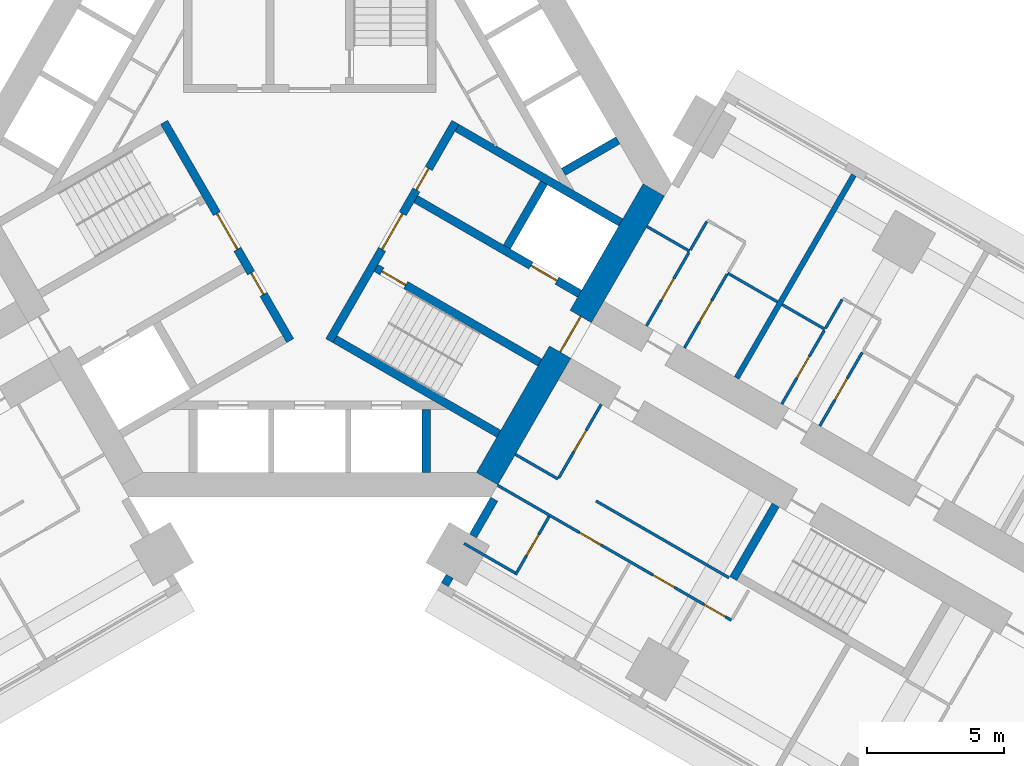
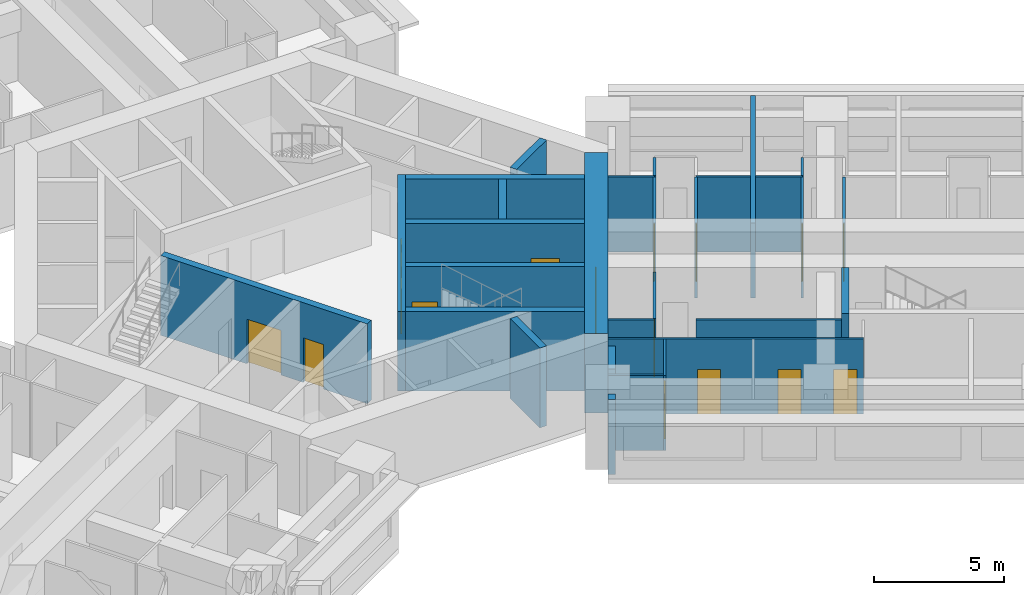
# One storey, part 7 of 16: 29 walls, 16 doors, 16 openings.
"""IFC4 building model written with IfcOpenShell, lengths in metres."""

import ifcopenshell
import ifcopenshell.guid

model = None  # the IFC model being written
_history = None  # IfcOwnerHistory: only IFC2X3 demands one
_inside = {}  # id of a spatial element -> (the spatial element, [elements in it])
_under = {}  # id of a project, library or spatial element -> (it, [spatial elements below it])
_declared = {}  # id of a project -> (the project, [libraries it declares])
_typed = {}  # id of a type object -> (the type object, [elements of that type])
_made_of = {}  # id of a material, layer set ... -> (it, [elements and type objects made of it])


def new_model(schema):
    """Start an empty IFC model of exactly this schema.

    Asked for "IFC4X3", IfcOpenShell would pick the latest addendum, in which some entities
    have other attributes; the version numbers below select the first issue.
    IFC2X3 requires an IfcOwnerHistory on every rooted entity: one is made here for all.
    """
    global model, _history
    if schema == "IFC4X3":
        model = ifcopenshell.file(schema_version=(4, 3, 0, 0))
    else:
        model = ifcopenshell.file(schema=schema)
    _inside.clear()
    _under.clear()
    _declared.clear()
    _typed.clear()
    _made_of.clear()
    _history = None
    if model.schema == "IFC2X3":
        org = make("IfcOrganization", Name="unknown")
        user = make(
            "IfcPersonAndOrganization",
            ThePerson=make("IfcPerson", FamilyName="unknown"),
            TheOrganization=org,
        )
        app = make(
            "IfcApplication",
            ApplicationDeveloper=org,
            Version="unknown",
            ApplicationFullName="unknown",
            ApplicationIdentifier="unknown",
        )
        _history = make(
            "IfcOwnerHistory",
            OwningUser=user,
            OwningApplication=app,
            ChangeAction="ADDED",
            CreationDate=0,
        )
    return model


def make(cls, **values):
    """One entity of the class cls with the attributes given. An attribute that is None is left unset."""
    return model.create_entity(
        cls, **{name: value for name, value in values.items() if value is not None}
    )


def rooted(cls, **values):
    """An entity with a GlobalId (a new one), such as an element, a storey or a relation."""
    return make(cls, GlobalId=ifcopenshell.guid.new(), OwnerHistory=_history, **values)


def si_unit(unit_type, name, prefix=None):
    """IfcSIUnit, for example si_unit("LENGTHUNIT", "METRE", prefix="MILLI")."""
    return make("IfcSIUnit", UnitType=unit_type, Prefix=prefix, Name=name)


def assignment(units):
    """IfcUnitAssignment: the units of a project."""
    return None if units is None else make("IfcUnitAssignment", Units=units)


def point(xyz):
    """IfcCartesianPoint."""
    return None if xyz is None else make("IfcCartesianPoint", Coordinates=xyz)


def direction(xyz):
    """IfcDirection."""
    return None if xyz is None else make("IfcDirection", DirectionRatios=xyz)


def frame(location, z_axis=None, x_axis=None):
    """IfcAxis2Placement3D, a coordinate frame: its origin and axes. An axis left out is left unset."""
    return make(
        "IfcAxis2Placement3D",
        Location=point(location),
        Axis=direction(z_axis),
        RefDirection=direction(x_axis),
    )


def frame_2d(location, x_axis=None):
    """IfcAxis2Placement2D, a coordinate frame in the plane: its origin and x axis."""
    return make(
        "IfcAxis2Placement2D", Location=point(location), RefDirection=direction(x_axis)
    )


def origin():
    """The frame at (0, 0, 0) with its axes left unset."""
    return frame((0.0, 0.0, 0.0))


def place(relative_to, where):
    """IfcLocalPlacement: puts the frame where relative to a parent placement (None: the world)."""
    return make(
        "IfcLocalPlacement", PlacementRelTo=relative_to, RelativePlacement=where
    )


def context(
    kind, dimensions, precision=None, world=None, true_north=None, identifier=None
):
    """IfcGeometricRepresentationContext, for example the 3D "Model" context."""
    return make(
        "IfcGeometricRepresentationContext",
        ContextIdentifier=identifier,
        ContextType=kind,
        CoordinateSpaceDimension=dimensions,
        Precision=precision,
        WorldCoordinateSystem=world,
        TrueNorth=true_north,
    )


def subcontext(parent, identifier, kind, view, scale=None):
    """IfcGeometricRepresentationSubContext, for example "Body" below "Model"."""
    return make(
        "IfcGeometricRepresentationSubContext",
        ContextIdentifier=identifier,
        ContextType=kind,
        ParentContext=parent,
        TargetScale=scale,
        TargetView=view,
    )


def project(units=None, contexts=None):
    """IfcProject with its units and contexts."""
    return rooted(
        "IfcProject",
        Name="project",
        RepresentationContexts=contexts,
        UnitsInContext=assignment(units),
    )


def spatial(cls, under=None, at=None, **own):
    """A site, building, storey or space (cls), placed at a placement, below another one or the project."""
    s = rooted(cls, ObjectPlacement=at, **own)
    if under is not None:
        _under.setdefault(under.id(), (under, []))[1].append(s)
    return s


def profile(cls, at=None, kind="AREA", **sizes):
    """A parametric profile (cls). Its sizes go by their IFC names, for example OverallWidth=200.0."""
    return make(cls, ProfileType=kind, Position=at, **sizes)


def rectangle(**sizes):
    """IfcRectangleProfileDef."""
    return profile("IfcRectangleProfileDef", **sizes)


def extrude(swept, where, along, depth):
    """IfcExtrudedAreaSolid: the profile swept, set in the frame where, extruded along a direction by depth."""
    return make(
        "IfcExtrudedAreaSolid",
        SweptArea=swept,
        Position=where,
        ExtrudedDirection=direction(along),
        Depth=depth,
    )


def shape(context_of_items, identifier, shape_type, items):
    """IfcShapeRepresentation: the items that make up one representation, for example the "Body"."""
    return make(
        "IfcShapeRepresentation",
        ContextOfItems=context_of_items,
        RepresentationIdentifier=identifier,
        RepresentationType=shape_type,
        Items=items,
    )


def material(Name=None, Category=None):
    """IfcMaterial."""
    return make("IfcMaterial", Name=Name, Category=Category)


def layer(
    of_material, thickness, ventilated=None, Name=None, Category=None, Priority=None
):
    """IfcMaterialLayer: one layer of a wall or slab, of a material (None: an air gap)."""
    return make(
        "IfcMaterialLayer",
        Material=of_material,
        LayerThickness=thickness,
        IsVentilated=ventilated,
        Name=Name,
        Category=Category,
        Priority=Priority,
    )


def layer_set(layers, Name=None):
    """IfcMaterialLayerSet."""
    return make("IfcMaterialLayerSet", MaterialLayers=layers, LayerSetName=Name)


def made_of(thing, what):
    """Note that an element or type object is made of a material, layer set ...; save() writes the relation."""
    if what is not None:
        _made_of.setdefault(what.id(), (what, []))[1].append(thing)
    return thing


def type_object(cls, material=None, **own):
    """A type object (cls), such as IfcWallType, which elements share."""
    return made_of(rooted(cls, **own), material)


def element(
    cls,
    number,
    at=None,
    inside=None,
    cuts=None,
    type_object=None,
    material=None,
    context=None,
    identifier="Body",
    shape_type=None,
    held_by="IfcProductDefinitionShape",
    body=None,
    shapes=None,
    **own,
):
    """One element of the class cls, such as IfcWall. Its Tag is "e" and its number.

    at: its placement. inside: the storey or other place that contains it. cuts: it is an
    opening in that element (IfcRelVoidsElement). A single representation is given by context,
    identifier, shape_type and body (its items); several are given by shapes. held_by: the class
    of the entity that holds the representations. save() writes the other relations.
    """
    e = rooted(cls, Tag="e%d" % number, ObjectPlacement=at, **own)
    if body is not None:
        shapes = [shape(context, identifier, shape_type, body)]
    if shapes is not None:
        e.Representation = make(held_by, Representations=shapes)
    if inside is not None:
        _inside.setdefault(inside.id(), (inside, []))[1].append(e)
    if cuts is not None:
        rooted(
            "IfcRelVoidsElement", RelatingBuildingElement=cuts, RelatedOpeningElement=e
        )
    if type_object is not None:
        _typed.setdefault(type_object.id(), (type_object, []))[1].append(e)
    return made_of(e, material)


def fill(opening, filler):
    """IfcRelFillsElement: the door or window that sits in an opening."""
    return rooted(
        "IfcRelFillsElement",
        RelatingOpeningElement=opening,
        RelatedBuildingElement=filler,
    )


def aggregate(whole, parts):
    """IfcRelAggregates: a whole, such as a stair, and the parts it consists of."""
    return rooted("IfcRelAggregates", RelatingObject=whole, RelatedObjects=parts)


def save(model, path):
    """Write the relations noted so far, then the file.

    IfcRelAggregates (storeys below a building ...), IfcRelContainedInSpatialStructure (elements
    in a storey), IfcRelDefinesByType, IfcRelAssociatesMaterial and IfcRelDeclares: one each for
    every whole, place, type object, material and project.
    """
    for whole, parts in _under.values():
        aggregate(whole, parts)
    for where, things in _inside.values():
        rooted(
            "IfcRelContainedInSpatialStructure",
            RelatedElements=things,
            RelatingStructure=where,
        )
    for kind, things in _typed.values():
        rooted("IfcRelDefinesByType", RelatedObjects=things, RelatingType=kind)
    for what, things in _made_of.values():
        rooted("IfcRelAssociatesMaterial", RelatedObjects=things, RelatingMaterial=what)
    for by, libraries in _declared.values():
        rooted("IfcRelDeclares", RelatingContext=by, RelatedDefinitions=libraries)
    model.write(path)


model = new_model("IFC4")

# Units and contexts
model_context = context("Model", 3, precision=1e-05, world=origin(), true_north=direction((0.0, 1.0)))
body_context = subcontext(model_context, "Body", "Model", "MODEL_VIEW")
ifc_project = project(units=[si_unit("LENGTHUNIT", "METRE"), si_unit("AREAUNIT", "SQUARE_METRE"), si_unit("VOLUMEUNIT", "CUBIC_METRE"), si_unit("PLANEANGLEUNIT", "RADIAN"), si_unit("MASSUNIT", "GRAM", prefix="KILO")], contexts=[model_context])

# Site, building, storey
site_placement = place(None, origin())
site = spatial("IfcSite", under=ifc_project, at=site_placement, CompositionType="ELEMENT")
building_placement = place(site_placement, origin())
building = spatial("IfcBuilding", under=site, at=building_placement, Name="Impinga Residences", CompositionType="ELEMENT")
storey_placement = place(building_placement, frame((0.0, 0.0, 44.75)))
storey = spatial("IfcBuildingStorey", under=building, at=storey_placement, Name="L10", CompositionType="ELEMENT", Elevation=44.75)

# Walls
ifc_material_1 = material(Name="Terracotta rainscreen on blockwork", Category="masonry")
ifc_layer_1 = layer(ifc_material_1, 0.300048828125)
ifc_layer_set_1 = layer_set([ifc_layer_1], Name="EW1 external wall, terracotta rainscreen on blockwork 300")
wall_type_1 = type_object("IfcWallType", Name="EW1 external wall, terracotta rainscreen on blockwork 300", PredefinedType="SOLIDWALL", material=ifc_layer_set_1)
wall_1_placement = place(storey_placement, frame((4.929931640625, -14.624267578125, 0.0), z_axis=(0.0, 0.0, 1.0), x_axis=(0.49996389635, 0.866046247233, 0.0)))
element("IfcWall", 1, at=wall_1_placement, inside=storey, type_object=wall_type_1, Name="External wall EW1 L10", PredefinedType="SOLIDWALL", context=body_context, shape_type="SweptSolid", body=[
    extrude(rectangle(XDim=0.35009765625, YDim=0.300048828125, at=frame_2d((0.175048828125, 0.0))), origin(), (0.0, 0.0, 1.0), 3.530029296875),
])
wall_2_placement = place(storey_placement, frame((5.954833984375, -12.848876953125, 0.0), z_axis=(0.0, 0.0, 1.0), x_axis=(0.500086022567, 0.865975732936, 0.0)))
element("IfcWall", 2, at=wall_2_placement, inside=storey, type_object=wall_type_1, Name="External wall EW1 L10", PredefinedType="SOLIDWALL", context=body_context, shape_type="SweptSolid", body=[
    extrude(rectangle(XDim=1.550048828125, YDim=0.300048828125, at=frame_2d((0.77490234375, 0.0))), origin(), (0.0, 0.0, 1.0), 3.530029296875),
])
ifc_material_2 = material(Name="Gypsum board on steel studs", Category="steel")
ifc_layer_2 = layer(ifc_material_2, 0.10009765625)
ifc_layer_set_2 = layer_set([ifc_layer_2], Name="Gypsum board on steel studs")
wall_type_2 = type_object("IfcWallType", Name="IP1 partition 100", PredefinedType="PARTITIONING", material=ifc_layer_set_2)
wall_3_placement = place(storey_placement, frame((12.300048828125, -1.558837890625, 0.0), z_axis=(0.0, 0.0, 1.0), x_axis=(0.866047807691, -0.499961193289, 0.0)))
element("IfcWall", 3, at=wall_3_placement, inside=storey, type_object=wall_type_2, Name="Partition L10-EA1:DIV0", PredefinedType="PARTITIONING", context=body_context, shape_type="SweptSolid", body=[
    extrude(rectangle(XDim=1.800048828125, YDim=0.10009765625, at=frame_2d((0.89990234375, 0.0))), origin(), (0.0, 0.0, 1.0), 3.530029296875),
])
wall_4_placement = place(storey_placement, frame((15.244384765625, -3.2587890625, 0.0), z_axis=(0.0, 0.0, 1.0), x_axis=(0.866038466041, -0.499977374825, 0.0)))
element("IfcWall", 4, at=wall_4_placement, inside=storey, type_object=wall_type_2, Name="Partition L10-EA1:DIV1", PredefinedType="PARTITIONING", context=body_context, shape_type="SweptSolid", body=[
    extrude(rectangle(XDim=2.10009765625, YDim=0.10009765625, at=frame_2d((1.050048828125, 0.0))), origin(), (0.0, 0.0, 1.0), 3.530029296875),
])
wall_5_placement = place(storey_placement, frame((13.8837890625, -2.41552734375, 0.0), z_axis=(0.0, 0.0, 1.0), x_axis=(0.500033551112, 0.866006032174, 0.0)))
element("IfcWall", 5, at=wall_5_placement, inside=storey, type_object=wall_type_2, Name="Partition L10-EA1:SE0", PredefinedType="PARTITIONING", context=body_context, shape_type="SweptSolid", body=[
    extrude(rectangle(XDim=1.2001953125, YDim=0.10009765625, at=frame_2d((0.60009765625, 0.0))), origin(), (0.0, 0.0, 1.0), 3.530029296875),
])

# Wall, opening, door
wall_6_placement = place(storey_placement, frame((12.283935546875, -5.186767578125, 0.0), z_axis=(0.0, 0.0, 1.0), x_axis=(0.499967891604, 0.866043940782, 0.0)))
wall_6 = element("IfcWall", 6, at=wall_6_placement, inside=storey, type_object=wall_type_2, Name="Partition L10-EA1:IB1", PredefinedType="PARTITIONING", context=body_context, shape_type="SweptSolid", body=[
    extrude(rectangle(XDim=3.099853515625, YDim=0.10009765625, at=frame_2d((1.5498046875, 0.0))), origin(), (0.0, 0.0, 1.0), 3.530029296875),
])
opening_1_placement = place(wall_6_placement, frame((1.10009765625, 0.0, 0.0)))
opening_1 = element("IfcOpeningElement", 7, at=opening_1_placement, cuts=wall_6, Name="Opening D2", PredefinedType="OPENING", context=body_context, shape_type="SweptSolid", body=[
    extrude(rectangle(XDim=0.89990234375, YDim=2.10009765625, at=frame_2d((0.449951171875, 1.050048828125))), frame((0.0, 0.06005859375, 0.0), z_axis=(0.0, -1.0, 0.0), x_axis=(1.0, 0.0, 0.0)), (0.0, 0.0, 1.0), 0.1201171875),
])
ifc_material_3 = material(Name="Timber door set", Category="wood")
door_type_1 = type_object("IfcDoorType", Name="D2 internal door 900x2100", OperationType="SINGLE_SWING_LEFT", PredefinedType="DOOR", material=ifc_material_3)
door_1_placement = place(opening_1_placement, origin())
door_1 = element("IfcDoor", 8, at=door_1_placement, inside=storey, type_object=door_type_1, Name="Apartment L10-EA1 bathroom door", OperationType="SINGLE_SWING_LEFT", OverallHeight=2.10009765625, OverallWidth=0.89990234375, PredefinedType="DOOR", context=body_context, shape_type="SweptSolid", body=[
    extrude(rectangle(XDim=0.89990234375, YDim=2.10009765625, at=frame_2d((0.449951171875, 1.050048828125))), frame((0.0, 0.02490234375, 0.0), z_axis=(0.0, -1.0, 0.0), x_axis=(1.0, 0.0, 0.0)), (0.0, 0.0, 1.0), 0.050048828125),
])
fill(opening_1, door_1)

wall_7_placement = place(storey_placement, frame((13.66943359375, -5.98681640625, 0.0), z_axis=(0.0, 0.0, 1.0), x_axis=(0.500026960575, 0.86600983753, 0.0)))
wall_7 = element("IfcWall", 9, at=wall_7_placement, inside=storey, type_object=wall_type_2, Name="Partition L10-EA1:IB2", PredefinedType="PARTITIONING", context=body_context, shape_type="SweptSolid", body=[
    extrude(rectangle(XDim=3.099853515625, YDim=0.10009765625, at=frame_2d((1.5498046875, 0.0))), origin(), (0.0, 0.0, 1.0), 3.530029296875),
])
opening_2_placement = place(wall_7_placement, frame((1.10009765625, 0.0, 0.0)))
opening_2 = element("IfcOpeningElement", 10, at=opening_2_placement, cuts=wall_7, Name="Opening D2", PredefinedType="OPENING", context=body_context, shape_type="SweptSolid", body=[
    extrude(rectangle(XDim=0.89990234375, YDim=2.10009765625, at=frame_2d((0.449951171875, 1.050048828125))), frame((0.0, 0.06005859375, 0.0), z_axis=(0.0, -1.0, 0.0), x_axis=(1.0, 0.0, 0.0)), (0.0, 0.0, 1.0), 0.1201171875),
])
door_2_placement = place(opening_2_placement, origin())
door_2 = element("IfcDoor", 11, at=door_2_placement, inside=storey, type_object=door_type_1, Name="Apartment L10-EA1 WC door", OperationType="SINGLE_SWING_LEFT", OverallHeight=2.10009765625, OverallWidth=0.89990234375, PredefinedType="DOOR", context=body_context, shape_type="SweptSolid", body=[
    extrude(rectangle(XDim=0.89990234375, YDim=2.10009765625, at=frame_2d((0.449951171875, 1.050048828125))), frame((0.0, 0.02490234375, 0.0), z_axis=(0.0, -1.0, 0.0), x_axis=(1.0, 0.0, 0.0)), (0.0, 0.0, 1.0), 0.050048828125),
])
fill(opening_2, door_2)

# Walls
wall_8_placement = place(storey_placement, frame((17.236328125, -4.408935546875, 0.0), z_axis=(0.0, 0.0, 1.0), x_axis=(0.866047807691, -0.499961193289, 0.0)))
element("IfcWall", 12, at=wall_8_placement, inside=storey, type_object=wall_type_2, Name="Partition L10-EA2:DIV0", PredefinedType="PARTITIONING", context=body_context, shape_type="SweptSolid", body=[
    extrude(rectangle(XDim=1.800048828125, YDim=0.10009765625, at=frame_2d((0.89990234375, 0.0))), origin(), (0.0, 0.0, 1.0), 3.530029296875),
])
wall_9_placement = place(storey_placement, frame((18.8203125, -5.265625, 0.0), z_axis=(0.0, 0.0, 1.0), x_axis=(0.499880961361, 0.866094119867, 0.0)))
element("IfcWall", 13, at=wall_9_placement, inside=storey, type_object=wall_type_2, Name="Partition L10-EA2:SE0", PredefinedType="PARTITIONING", context=body_context, shape_type="SweptSolid", body=[
    extrude(rectangle(XDim=1.199951171875, YDim=0.10009765625, at=frame_2d((0.60009765625, 0.0))), origin(), (0.0, 0.0, 1.0), 3.530029296875),
])

# Wall, opening, door
wall_10_placement = place(storey_placement, frame((17.22021484375, -8.036865234375, 0.0), z_axis=(0.0, 0.0, 1.0), x_axis=(0.49999285859, 0.86602952684, 0.0)))
wall_10 = element("IfcWall", 14, at=wall_10_placement, inside=storey, type_object=wall_type_2, Name="Partition L10-EA2:IB1", PredefinedType="PARTITIONING", context=body_context, shape_type="SweptSolid", body=[
    extrude(rectangle(XDim=3.10009765625, YDim=0.10009765625, at=frame_2d((1.550048828125, 0.0))), origin(), (0.0, 0.0, 1.0), 3.530029296875),
])
opening_3_placement = place(wall_10_placement, frame((1.10009765625, 0.0, 0.0)))
opening_3 = element("IfcOpeningElement", 15, at=opening_3_placement, cuts=wall_10, Name="Opening D2", PredefinedType="OPENING", context=body_context, shape_type="SweptSolid", body=[
    extrude(rectangle(XDim=0.89990234375, YDim=2.10009765625, at=frame_2d((0.449951171875, 1.050048828125))), frame((0.0, 0.06005859375, 0.0), z_axis=(0.0, -1.0, 0.0), x_axis=(1.0, 0.0, 0.0)), (0.0, 0.0, 1.0), 0.1201171875),
])
door_3_placement = place(opening_3_placement, origin())
door_3 = element("IfcDoor", 16, at=door_3_placement, inside=storey, type_object=door_type_1, Name="Apartment L10-EA2 bathroom door", OperationType="SINGLE_SWING_LEFT", OverallHeight=2.10009765625, OverallWidth=0.89990234375, PredefinedType="DOOR", context=body_context, shape_type="SweptSolid", body=[
    extrude(rectangle(XDim=0.89990234375, YDim=2.10009765625, at=frame_2d((0.449951171875, 1.050048828125))), frame((0.0, 0.02490234375, 0.0), z_axis=(0.0, -1.0, 0.0), x_axis=(1.0, 0.0, 0.0)), (0.0, 0.0, 1.0), 0.050048828125),
])
fill(opening_3, door_3)

wall_11_placement = place(storey_placement, frame((18.605712890625, -8.8369140625, 0.0), z_axis=(0.0, 0.0, 1.0), x_axis=(0.49999285859, 0.86602952684, 0.0)))
wall_11 = element("IfcWall", 17, at=wall_11_placement, inside=storey, type_object=wall_type_2, Name="Partition L10-EA2:IB2", PredefinedType="PARTITIONING", context=body_context, shape_type="SweptSolid", body=[
    extrude(rectangle(XDim=3.10009765625, YDim=0.10009765625, at=frame_2d((1.550048828125, 0.0))), origin(), (0.0, 0.0, 1.0), 3.530029296875),
])
opening_4_placement = place(wall_11_placement, frame((1.10009765625, 0.0, 0.0)))
opening_4 = element("IfcOpeningElement", 18, at=opening_4_placement, cuts=wall_11, Name="Opening D2", PredefinedType="OPENING", context=body_context, shape_type="SweptSolid", body=[
    extrude(rectangle(XDim=0.89990234375, YDim=2.10009765625, at=frame_2d((0.449951171875, 1.050048828125))), frame((0.0, 0.06005859375, 0.0), z_axis=(0.0, -1.0, 0.0), x_axis=(1.0, 0.0, 0.0)), (0.0, 0.0, 1.0), 0.1201171875),
])
door_4_placement = place(opening_4_placement, origin())
door_4 = element("IfcDoor", 19, at=door_4_placement, inside=storey, type_object=door_type_1, Name="Apartment L10-EA2 WC door", OperationType="SINGLE_SWING_LEFT", OverallHeight=2.10009765625, OverallWidth=0.89990234375, PredefinedType="DOOR", context=body_context, shape_type="SweptSolid", body=[
    extrude(rectangle(XDim=0.89990234375, YDim=2.10009765625, at=frame_2d((0.449951171875, 1.050048828125))), frame((0.0, 0.02490234375, 0.0), z_axis=(0.0, -1.0, 0.0), x_axis=(1.0, 0.0, 0.0)), (0.0, 0.0, 1.0), 0.050048828125),
])
fill(opening_4, door_4)

# Walls
wall_12_placement = place(storey_placement, frame((7.5, -9.872802734375, 0.0), z_axis=(0.0, 0.0, 1.0), x_axis=(0.866047807691, -0.499961193289, 0.0)))
element("IfcWall", 20, at=wall_12_placement, inside=storey, type_object=wall_type_2, Name="Partition L10-EF1:DIV0", PredefinedType="PARTITIONING", context=body_context, shape_type="SweptSolid", body=[
    extrude(rectangle(XDim=1.800048828125, YDim=0.10009765625, at=frame_2d((0.89990234375, 0.0))), origin(), (0.0, 0.0, 1.0), 3.530029296875),
])
wall_13_placement = place(storey_placement, frame((10.444580078125, -11.57275390625, 0.0), z_axis=(0.0, 0.0, 1.0), x_axis=(0.866015695474, -0.500016814911, 0.0)))
element("IfcWall", 21, at=wall_13_placement, inside=storey, type_object=wall_type_2, Name="Partition L10-EF1:DIV1", PredefinedType="PARTITIONING", context=body_context, shape_type="SweptSolid", body=[
    extrude(rectangle(XDim=5.599853515625, YDim=0.10009765625, at=frame_2d((2.7998046875, 0.0))), origin(), (0.0, 0.0, 1.0), 3.530029296875),
])

# Wall, openings, doors
wall_14_placement = place(storey_placement, frame((6.85009765625, -10.99853515625, 0.0), z_axis=(0.0, 0.0, 1.0), x_axis=(0.866021308241, -0.500007093622, 0.0)))
wall_14 = element("IfcWall", 22, at=wall_14_placement, inside=storey, type_object=wall_type_2, Name="Partition L10-EF1:STRIP", PredefinedType="PARTITIONING", context=body_context, shape_type="SweptSolid", body=[
    extrude(rectangle(XDim=9.849853515625, YDim=0.10009765625, at=frame_2d((4.9248046875, 0.0))), origin(), (0.0, 0.0, 1.0), 3.530029296875),
])
opening_5_placement = place(wall_14_placement, frame((3.449951171875, 0.0, 0.0)))
opening_5 = element("IfcOpeningElement", 23, at=opening_5_placement, cuts=wall_14, Name="Opening D2", PredefinedType="OPENING", context=body_context, shape_type="SweptSolid", body=[
    extrude(rectangle(XDim=0.89990234375, YDim=2.10009765625, at=frame_2d((0.449951171875, 1.050048828125))), frame((0.0, 0.06005859375, 0.0), z_axis=(0.0, -1.0, 0.0), x_axis=(1.0, 0.0, 0.0)), (0.0, 0.0, 1.0), 0.1201171875),
])
opening_6_placement = place(wall_14_placement, frame((6.550048828125, 0.0, 0.0)))
opening_6 = element("IfcOpeningElement", 24, at=opening_6_placement, cuts=wall_14, Name="Opening D2", PredefinedType="OPENING", context=body_context, shape_type="SweptSolid", body=[
    extrude(rectangle(XDim=0.89990234375, YDim=2.10009765625, at=frame_2d((0.449951171875, 1.050048828125))), frame((0.0, 0.06005859375, 0.0), z_axis=(0.0, -1.0, 0.0), x_axis=(1.0, 0.0, 0.0)), (0.0, 0.0, 1.0), 0.1201171875),
])
opening_7_placement = place(wall_14_placement, frame((8.699951171875, 0.0, 0.0)))
opening_7 = element("IfcOpeningElement", 25, at=opening_7_placement, cuts=wall_14, Name="Opening D2", PredefinedType="OPENING", context=body_context, shape_type="SweptSolid", body=[
    extrude(rectangle(XDim=0.89990234375, YDim=2.10009765625, at=frame_2d((0.449951171875, 1.050048828125))), frame((0.0, 0.06005859375, 0.0), z_axis=(0.0, -1.0, 0.0), x_axis=(1.0, 0.0, 0.0)), (0.0, 0.0, 1.0), 0.1201171875),
])
door_5_placement = place(opening_5_placement, origin())
door_5 = element("IfcDoor", 26, at=door_5_placement, inside=storey, type_object=door_type_1, Name="Apartment L10-EF1 room door", OperationType="SINGLE_SWING_LEFT", OverallHeight=2.10009765625, OverallWidth=0.89990234375, PredefinedType="DOOR", context=body_context, shape_type="SweptSolid", body=[
    extrude(rectangle(XDim=0.89990234375, YDim=2.10009765625, at=frame_2d((0.449951171875, 1.050048828125))), frame((0.0, 0.02490234375, 0.0), z_axis=(0.0, -1.0, 0.0), x_axis=(1.0, 0.0, 0.0)), (0.0, 0.0, 1.0), 0.050048828125),
])
fill(opening_5, door_5)
door_6_placement = place(opening_6_placement, origin())
door_6 = element("IfcDoor", 27, at=door_6_placement, inside=storey, type_object=door_type_1, Name="Apartment L10-EF1 room door", OperationType="SINGLE_SWING_RIGHT", OverallHeight=2.10009765625, OverallWidth=0.89990234375, PredefinedType="DOOR", context=body_context, shape_type="SweptSolid", body=[
    extrude(rectangle(XDim=0.89990234375, YDim=2.10009765625, at=frame_2d((0.449951171875, 1.050048828125))), frame((0.0, 0.02490234375, 0.0), z_axis=(0.0, -1.0, 0.0), x_axis=(1.0, 0.0, 0.0)), (0.0, 0.0, 1.0), 0.050048828125),
])
fill(opening_6, door_6)
door_7_placement = place(opening_7_placement, origin())
door_7 = element("IfcDoor", 28, at=door_7_placement, inside=storey, type_object=door_type_1, Name="Apartment L10-EF1 room door", OperationType="SINGLE_SWING_RIGHT", OverallHeight=2.10009765625, OverallWidth=0.89990234375, PredefinedType="DOOR", context=body_context, shape_type="SweptSolid", body=[
    extrude(rectangle(XDim=0.89990234375, YDim=2.10009765625, at=frame_2d((0.449951171875, 1.050048828125))), frame((0.0, 0.02490234375, 0.0), z_axis=(0.0, -1.0, 0.0), x_axis=(1.0, 0.0, 0.0)), (0.0, 0.0, 1.0), 0.050048828125),
])
fill(opening_7, door_7)

# Wall, opening, door
wall_15_placement = place(storey_placement, frame((10.6337890625, -8.044677734375, 0.0), z_axis=(0.0, 0.0, 1.0), x_axis=(-0.49999285859, -0.86602952684, 0.0)))
wall_15 = element("IfcWall", 29, at=wall_15_placement, inside=storey, type_object=wall_type_2, Name="Partition L10-EF1:IB1", PredefinedType="PARTITIONING", context=body_context, shape_type="SweptSolid", body=[
    extrude(rectangle(XDim=3.10009765625, YDim=0.10009765625, at=frame_2d((1.550048828125, 0.0))), origin(), (0.0, 0.0, 1.0), 3.530029296875),
])
opening_8_placement = place(wall_15_placement, frame((1.10009765625, 0.0, 0.0)))
opening_8 = element("IfcOpeningElement", 30, at=opening_8_placement, cuts=wall_15, Name="Opening D2", PredefinedType="OPENING", context=body_context, shape_type="SweptSolid", body=[
    extrude(rectangle(XDim=0.89990234375, YDim=2.10009765625, at=frame_2d((0.449951171875, 1.050048828125))), frame((0.0, 0.06005859375, 0.0), z_axis=(0.0, -1.0, 0.0), x_axis=(1.0, 0.0, 0.0)), (0.0, 0.0, 1.0), 0.1201171875),
])
door_8_placement = place(opening_8_placement, origin())
door_8 = element("IfcDoor", 31, at=door_8_placement, inside=storey, type_object=door_type_1, Name="Apartment L10-EF1 bathroom door", OperationType="SINGLE_SWING_LEFT", OverallHeight=2.10009765625, OverallWidth=0.89990234375, PredefinedType="DOOR", context=body_context, shape_type="SweptSolid", body=[
    extrude(rectangle(XDim=0.89990234375, YDim=2.10009765625, at=frame_2d((0.449951171875, 1.050048828125))), frame((0.0, 0.02490234375, 0.0), z_axis=(0.0, -1.0, 0.0), x_axis=(1.0, 0.0, 0.0)), (0.0, 0.0, 1.0), 0.050048828125),
])
fill(opening_8, door_8)

wall_16_placement = place(storey_placement, frame((8.730224609375, -12.141845703125, 0.0), z_axis=(0.0, 0.0, 1.0), x_axis=(-0.499943856944, -0.866057815567, 0.0)))
wall_16 = element("IfcWall", 32, at=wall_16_placement, inside=storey, type_object=wall_type_2, Name="Partition L10-EF1:EN1", PredefinedType="PARTITIONING", context=body_context, shape_type="SweptSolid", body=[
    extrude(rectangle(XDim=2.449951171875, YDim=0.10009765625, at=frame_2d((1.22509765625, 0.0))), origin(), (0.0, 0.0, 1.0), 3.530029296875),
])
opening_9_placement = place(wall_16_placement, frame((0.75, 0.0, 0.0)))
opening_9 = element("IfcOpeningElement", 33, at=opening_9_placement, cuts=wall_16, Name="Opening D2", PredefinedType="OPENING", context=body_context, shape_type="SweptSolid", body=[
    extrude(rectangle(XDim=0.89990234375, YDim=2.10009765625, at=frame_2d((0.449951171875, 1.050048828125))), frame((0.0, 0.06005859375, 0.0), z_axis=(0.0, -1.0, 0.0), x_axis=(1.0, 0.0, 0.0)), (0.0, 0.0, 1.0), 0.1201171875),
])
door_9_placement = place(opening_9_placement, origin())
door_9 = element("IfcDoor", 34, at=door_9_placement, inside=storey, type_object=door_type_1, Name="Apartment L10-EF1 en-suite door", OperationType="SINGLE_SWING_LEFT", OverallHeight=2.10009765625, OverallWidth=0.89990234375, PredefinedType="DOOR", context=body_context, shape_type="SweptSolid", body=[
    extrude(rectangle(XDim=0.89990234375, YDim=2.10009765625, at=frame_2d((0.449951171875, 1.050048828125))), frame((0.0, 0.02490234375, 0.0), z_axis=(0.0, -1.0, 0.0), x_axis=(1.0, 0.0, 0.0)), (0.0, 0.0, 1.0), 0.050048828125),
])
fill(opening_9, door_9)

# Walls
wall_17_placement = place(storey_placement, frame((5.625, -13.120361328125, 0.0), z_axis=(0.0, 0.0, 1.0), x_axis=(0.866047553582, -0.499961633463, 0.0)))
element("IfcWall", 35, at=wall_17_placement, inside=storey, type_object=wall_type_2, Name="Partition L10-EF1:EN2", PredefinedType="PARTITIONING", context=body_context, shape_type="SweptSolid", body=[
    extrude(rectangle(XDim=2.150146484375, YDim=0.10009765625, at=frame_2d((1.0751953125, 0.0))), origin(), (0.0, 0.0, 1.0), 3.530029296875),
])
ifc_material_4 = material(Name="Concrete blockwork", Category="masonry")
ifc_layer_3 = layer(ifc_material_4, 0.199951171875)
ifc_layer_set_3 = layer_set([ifc_layer_3], Name="PW1 party wall between apartments 200")
wall_type_3 = type_object("IfcWallType", Name="PW1 party wall between apartments 200", PredefinedType="SOLIDWALL", material=ifc_layer_set_3)
wall_18_placement = place(storey_placement, frame((15.57470703125, -7.0869140625, 0.0), z_axis=(0.0, 0.0, 1.0), x_axis=(0.500011643316, 0.866018681408, 0.0)))
element("IfcWall", 36, at=wall_18_placement, inside=storey, type_object=wall_type_3, Name="Party wall between apartments L10-EA1:PARTY", PredefinedType="SOLIDWALL", context=body_context, shape_type="SweptSolid", body=[
    extrude(rectangle(XDim=8.550048828125, YDim=0.199951171875, at=frame_2d((4.27490234375, 0.0))), origin(), (0.0, 0.0, 1.0), 3.530029296875),
])
ifc_material_5 = material(Name="Concrete C60/75", Category="concrete")
ifc_layer_4 = layer(ifc_material_5, 0.300048828125)
ifc_layer_set_4 = layer_set([ifc_layer_4], Name="Concrete C60/75")
wall_type_4 = type_object("IfcWallType", Name="SE1 wing stair enclosure wall 300", PredefinedType="SOLIDWALL", material=ifc_layer_set_4)
wall_19_placement = place(storey_placement, frame((16.9990234375, -11.7197265625, 0.0), z_axis=(0.0, 0.0, 1.0), x_axis=(-0.499967891604, -0.866043940782, 0.0)))
element("IfcWall", 37, at=wall_19_placement, inside=storey, type_object=wall_type_4, Name="Stair enclosure wall SE1 E END0 L10", PredefinedType="SOLIDWALL", context=body_context, shape_type="SweptSolid", body=[
    extrude(rectangle(XDim=3.099853515625, YDim=0.300048828125, at=frame_2d((1.5498046875, 0.0))), origin(), (0.0, 0.0, 1.0), 3.75),
])

# Wall, opening, door
ifc_material_6 = material(Name="Concrete C70/85", Category="concrete")
ifc_layer_5 = layer(ifc_material_6, 0.89990234375)
ifc_layer_set_5 = layer_set([ifc_layer_5], Name="Concrete C70/85")
wall_type_5 = type_object("IfcWallType", Name="SW1 core wall 900", PredefinedType="SHEAR", material=ifc_layer_set_5)
wall_20_placement = place(storey_placement, frame((12.550537109375, -0.22509765625, 0.0), z_axis=(0.0, 0.0, 1.0), x_axis=(-0.499997612506, -0.8660267822, 0.0)))
wall_20 = element("IfcWall", 38, at=wall_20_placement, inside=storey, type_object=wall_type_5, Name="Core wall SW1 E:FACE L10", PredefinedType="SHEAR", context=body_context, shape_type="SweptSolid", body=[
    extrude(rectangle(XDim=12.16064453125, YDim=0.89990234375, at=frame_2d((6.080322265625, 0.0))), origin(), (0.0, 0.0, 1.0), 3.75),
])
opening_10_placement = place(wall_20_placement, frame((5.330322265625, 0.0, 0.0)))
opening_10 = element("IfcOpeningElement", 39, at=opening_10_placement, cuts=wall_20, Name="Opening D4", PredefinedType="OPENING", context=body_context, shape_type="SweptSolid", body=[
    extrude(rectangle(XDim=1.5, YDim=2.10009765625, at=frame_2d((0.75, 1.050048828125))), frame((0.0, 0.4599609375, 0.0), z_axis=(0.0, -1.0, 0.0), x_axis=(1.0, 0.0, 0.0)), (0.0, 0.0, 1.0), 0.919921875),
])
door_type_2 = type_object("IfcDoorType", Name="D4 lobby door pair 1500x2100", OperationType="DOUBLE_DOOR_DOUBLE_SWING", PredefinedType="DOOR", material=ifc_material_3)
door_10_placement = place(opening_10_placement, origin())
door_10 = element("IfcDoor", 40, at=door_10_placement, inside=storey, type_object=door_type_2, Name="Lobby door E", OperationType="DOUBLE_DOOR_DOUBLE_SWING", OverallHeight=2.10009765625, OverallWidth=1.5, PredefinedType="DOOR", context=body_context, shape_type="SweptSolid", body=[
    extrude(rectangle(XDim=1.5, YDim=2.10009765625, at=frame_2d((0.75, 1.050048828125))), frame((0.0, 0.02490234375, 0.0), z_axis=(0.0, -1.0, 0.0), x_axis=(1.0, 0.0, 0.0)), (0.0, 0.0, 1.0), 0.050048828125),
])
fill(opening_10, door_10)

# Wall, openings, doors
ifc_layer_6 = layer(ifc_material_6, 0.300048828125)
ifc_layer_set_6 = layer_set([ifc_layer_6], Name="Concrete C70/85")
wall_type_6 = type_object("IfcWallType", Name="SW5 core inner wall, stairs, shafts and lobbies 300", PredefinedType="SHEAR", material=ifc_layer_set_6)
wall_21_placement = place(storey_placement, frame((-0.7138671875, -5.7236328125, 0.0), z_axis=(0.0, 0.0, 1.0), x_axis=(-0.499995050369, 0.866028261437, 0.0)))
wall_21 = element("IfcWall", 41, at=wall_21_placement, inside=storey, type_object=wall_type_6, Name="Core wall SW5 W:ZONE L10", PredefinedType="SHEAR", context=body_context, shape_type="SweptSolid", body=[
    extrude(rectangle(XDim=9.19970703125, YDim=0.300048828125, at=frame_2d((4.599853515625, 0.0))), origin(), (0.0, 0.0, 1.0), 3.75),
])
opening_11_placement = place(wall_21_placement, frame((3.85009765625, 0.0, 0.0)))
opening_11 = element("IfcOpeningElement", 42, at=opening_11_placement, cuts=wall_21, Name="Opening D4", PredefinedType="OPENING", context=body_context, shape_type="SweptSolid", body=[
    extrude(rectangle(XDim=1.5, YDim=2.10009765625, at=frame_2d((0.75, 1.050048828125))), frame((0.0, 0.159912109375, 0.0), z_axis=(0.0, -1.0, 0.0), x_axis=(1.0, 0.0, 0.0)), (0.0, 0.0, 1.0), 0.320068359375),
])
opening_12_placement = place(wall_21_placement, frame((1.949951171875, 0.0, 0.0)))
opening_12 = element("IfcOpeningElement", 43, at=opening_12_placement, cuts=wall_21, Name="Opening D6", PredefinedType="OPENING", context=body_context, shape_type="SweptSolid", body=[
    extrude(rectangle(XDim=0.89990234375, YDim=2.10009765625, at=frame_2d((0.449951171875, 1.050048828125))), frame((0.0, 0.159912109375, 0.0), z_axis=(0.0, -1.0, 0.0), x_axis=(1.0, 0.0, 0.0)), (0.0, 0.0, 1.0), 0.320068359375),
])
door_11_placement = place(opening_11_placement, origin())
door_11 = element("IfcDoor", 44, at=door_11_placement, inside=storey, type_object=door_type_2, Name="Firefighting lobby door W", OperationType="DOUBLE_DOOR_DOUBLE_SWING", OverallHeight=2.10009765625, OverallWidth=1.5, PredefinedType="DOOR", context=body_context, shape_type="SweptSolid", body=[
    extrude(rectangle(XDim=1.5, YDim=2.10009765625, at=frame_2d((0.75, 1.050048828125))), frame((0.0, 0.02490234375, 0.0), z_axis=(0.0, -1.0, 0.0), x_axis=(1.0, 0.0, 0.0)), (0.0, 0.0, 1.0), 0.050048828125),
])
fill(opening_11, door_11)
door_type_3 = type_object("IfcDoorType", Name="D6 riser and store door 900x2100", OperationType="SINGLE_SWING_LEFT", PredefinedType="DOOR", material=ifc_material_3)
door_12_placement = place(opening_12_placement, origin())
door_12 = element("IfcDoor", 45, at=door_12_placement, inside=storey, type_object=door_type_3, Name="Riser door W", OperationType="SINGLE_SWING_LEFT", OverallHeight=2.10009765625, OverallWidth=0.89990234375, PredefinedType="DOOR", context=body_context, shape_type="SweptSolid", body=[
    extrude(rectangle(XDim=0.89990234375, YDim=2.10009765625, at=frame_2d((0.449951171875, 1.050048828125))), frame((0.0, 0.02490234375, 0.0), z_axis=(0.0, -1.0, 0.0), x_axis=(1.0, 0.0, 0.0)), (0.0, 0.0, 1.0), 0.050048828125),
])
fill(opening_12, door_12)

wall_22_placement = place(storey_placement, frame((5.313720703125, 2.24365234375, 0.0), z_axis=(0.0, 0.0, 1.0), x_axis=(-0.499995050369, -0.866028261437, 0.0)))
wall_22 = element("IfcWall", 46, at=wall_22_placement, inside=storey, type_object=wall_type_6, Name="Core wall SW5 E:ZONE L10", PredefinedType="SHEAR", context=body_context, shape_type="SweptSolid", body=[
    extrude(rectangle(XDim=9.19970703125, YDim=0.300048828125, at=frame_2d((4.599853515625, 0.0))), origin(), (0.0, 0.0, 1.0), 3.75),
])
opening_13_placement = place(wall_22_placement, frame((3.85009765625, 0.0, 0.0)))
opening_13 = element("IfcOpeningElement", 47, at=opening_13_placement, cuts=wall_22, Name="Opening D4", PredefinedType="OPENING", context=body_context, shape_type="SweptSolid", body=[
    extrude(rectangle(XDim=1.5, YDim=2.10009765625, at=frame_2d((0.75, 1.050048828125))), frame((0.0, 0.159912109375, 0.0), z_axis=(0.0, -1.0, 0.0), x_axis=(1.0, 0.0, 0.0)), (0.0, 0.0, 1.0), 0.320068359375),
])
opening_14_placement = place(wall_22_placement, frame((1.949951171875, 0.0, 0.0)))
opening_14 = element("IfcOpeningElement", 48, at=opening_14_placement, cuts=wall_22, Name="Opening D6", PredefinedType="OPENING", context=body_context, shape_type="SweptSolid", body=[
    extrude(rectangle(XDim=0.89990234375, YDim=2.10009765625, at=frame_2d((0.449951171875, 1.050048828125))), frame((0.0, 0.159912109375, 0.0), z_axis=(0.0, -1.0, 0.0), x_axis=(1.0, 0.0, 0.0)), (0.0, 0.0, 1.0), 0.320068359375),
])
door_13_placement = place(opening_13_placement, origin())
door_13 = element("IfcDoor", 49, at=door_13_placement, inside=storey, type_object=door_type_2, Name="Firefighting lobby door E", OperationType="DOUBLE_DOOR_DOUBLE_SWING", OverallHeight=2.10009765625, OverallWidth=1.5, PredefinedType="DOOR", context=body_context, shape_type="SweptSolid", body=[
    extrude(rectangle(XDim=1.5, YDim=2.10009765625, at=frame_2d((0.75, 1.050048828125))), frame((0.0, 0.02490234375, 0.0), z_axis=(0.0, -1.0, 0.0), x_axis=(1.0, 0.0, 0.0)), (0.0, 0.0, 1.0), 0.050048828125),
])
fill(opening_13, door_13)
door_14_placement = place(opening_14_placement, origin())
door_14 = element("IfcDoor", 50, at=door_14_placement, inside=storey, type_object=door_type_3, Name="Riser door E", OperationType="SINGLE_SWING_LEFT", OverallHeight=2.10009765625, OverallWidth=0.89990234375, PredefinedType="DOOR", context=body_context, shape_type="SweptSolid", body=[
    extrude(rectangle(XDim=0.89990234375, YDim=2.10009765625, at=frame_2d((0.449951171875, 1.050048828125))), frame((0.0, 0.02490234375, 0.0), z_axis=(0.0, -1.0, 0.0), x_axis=(1.0, 0.0, 0.0)), (0.0, 0.0, 1.0), 0.050048828125),
])
fill(opening_14, door_14)

# Wall, opening, door
wall_23_placement = place(storey_placement, frame((2.418701171875, -3.07080078125, 0.0), z_axis=(0.0, 0.0, 1.0), x_axis=(0.86602711848, -0.499997030048, 0.0)))
wall_23 = element("IfcWall", 51, at=wall_23_placement, inside=storey, type_object=wall_type_6, Name="Core wall SW5 E:ST-IN L10", PredefinedType="SHEAR", context=body_context, shape_type="SweptSolid", body=[
    extrude(rectangle(XDim=6.9013671875, YDim=0.300048828125, at=frame_2d((3.45068359375, 0.0))), origin(), (0.0, 0.0, 1.0), 3.75),
])
opening_15_placement = place(wall_23_placement, frame((0.25, 0.0, 0.0)))
opening_15 = element("IfcOpeningElement", 52, at=opening_15_placement, cuts=wall_23, Name="Opening D5", PredefinedType="OPENING", context=body_context, shape_type="SweptSolid", body=[
    extrude(rectangle(XDim=1.0, YDim=2.10009765625, at=frame_2d((0.5, 1.050048828125))), frame((0.0, 0.159912109375, 0.0), z_axis=(0.0, -1.0, 0.0), x_axis=(1.0, 0.0, 0.0)), (0.0, 0.0, 1.0), 0.320068359375),
])
door_type_4 = type_object("IfcDoorType", Name="D5 stair door 1000x2100", OperationType="SINGLE_SWING_LEFT", PredefinedType="DOOR", material=ifc_material_3)
door_15_placement = place(opening_15_placement, origin())
door_15 = element("IfcDoor", 53, at=door_15_placement, inside=storey, type_object=door_type_4, Name="Stair door E", OperationType="SINGLE_SWING_LEFT", OverallHeight=2.10009765625, OverallWidth=1.0, PredefinedType="DOOR", context=body_context, shape_type="SweptSolid", body=[
    extrude(rectangle(XDim=1.0, YDim=2.10009765625, at=frame_2d((0.5, 1.050048828125))), frame((0.0, 0.02490234375, 0.0), z_axis=(0.0, -1.0, 0.0), x_axis=(1.0, 0.0, 0.0)), (0.0, 0.0, 1.0), 0.050048828125),
])
fill(opening_15, door_15)

# Wall
wall_24_placement = place(storey_placement, frame((0.918701171875, -5.668701171875, 0.0), z_axis=(0.0, 0.0, 1.0), x_axis=(0.866011800373, -0.500023561059, 0.0)))
element("IfcWall", 54, at=wall_24_placement, inside=storey, type_object=wall_type_6, Name="Core wall SW5 E:ST-OUT L10", PredefinedType="SHEAR", context=body_context, shape_type="SweptSolid", body=[
    extrude(rectangle(XDim=6.901611328125, YDim=0.300048828125, at=frame_2d((3.45068359375, 0.0))), origin(), (0.0, 0.0, 1.0), 3.75),
])

# Wall, opening, door
wall_25_placement = place(storey_placement, frame((3.86865234375, -0.559326171875, 0.0), z_axis=(0.0, 0.0, 1.0), x_axis=(0.86602711848, -0.499997030048, 0.0)))
wall_25 = element("IfcWall", 55, at=wall_25_placement, inside=storey, type_object=wall_type_6, Name="Core wall SW5 E:FF-IN L10", PredefinedType="SHEAR", context=body_context, shape_type="SweptSolid", body=[
    extrude(rectangle(XDim=6.9013671875, YDim=0.300048828125, at=frame_2d((3.45068359375, 0.0))), origin(), (0.0, 0.0, 1.0), 3.75),
])
opening_16_placement = place(wall_25_placement, frame((4.85009765625, 0.0, 0.0)))
opening_16 = element("IfcOpeningElement", 56, at=opening_16_placement, cuts=wall_25, Name="Opening LD2", PredefinedType="OPENING", context=body_context, shape_type="SweptSolid", body=[
    extrude(rectangle(XDim=1.10009765625, YDim=2.10009765625, at=frame_2d((0.550048828125, 1.050048828125))), frame((0.0, 0.159912109375, 0.0), z_axis=(0.0, -1.0, 0.0), x_axis=(1.0, 0.0, 0.0)), (0.0, 0.0, 1.0), 0.320068359375),
])
ifc_material_7 = material(Name="Steel lift landing door", Category="steel")
door_type_5 = type_object("IfcDoorType", Name="LD2 firefighting lift landing door 1100x2100", OperationType="DOUBLE_DOOR_SLIDING", PredefinedType="DOOR", material=ifc_material_7)
door_16_placement = place(opening_16_placement, origin())
door_16 = element("IfcDoor", 57, at=door_16_placement, inside=storey, type_object=door_type_5, Name="Firefighting lift landing door F3", OperationType="DOUBLE_DOOR_SLIDING", OverallHeight=2.10009765625, OverallWidth=1.10009765625, PredefinedType="DOOR", context=body_context, shape_type="SweptSolid", body=[
    extrude(rectangle(XDim=1.10009765625, YDim=2.10009765625, at=frame_2d((0.550048828125, 1.050048828125))), frame((0.0, 0.02490234375, 0.0), z_axis=(0.0, -1.0, 0.0), x_axis=(1.0, 0.0, 0.0)), (0.0, 0.0, 1.0), 0.050048828125),
])
fill(opening_16, door_16)

# Walls
wall_26_placement = place(storey_placement, frame((5.36865234375, 2.038818359375, 0.0), z_axis=(0.0, 0.0, 1.0), x_axis=(0.86602711848, -0.499997030048, 0.0)))
element("IfcWall", 58, at=wall_26_placement, inside=storey, type_object=wall_type_6, Name="Core wall SW5 E:FF-OUT L10", PredefinedType="SHEAR", context=body_context, shape_type="SweptSolid", body=[
    extrude(rectangle(XDim=6.9013671875, YDim=0.300048828125, at=frame_2d((3.45068359375, 0.0))), origin(), (0.0, 0.0, 1.0), 3.75),
])
wall_27_placement = place(storey_placement, frame((8.541259765625, 0.033935546875, 0.0), z_axis=(0.0, 0.0, 1.0), x_axis=(-0.50000943426, -0.866019956843, 0.0)))
element("IfcWall", 59, at=wall_27_placement, inside=storey, type_object=wall_type_6, Name="Core wall SW5 E:FF-RS L10", PredefinedType="SHEAR", context=body_context, shape_type="SweptSolid", body=[
    extrude(rectangle(XDim=2.7001953125, YDim=0.300048828125, at=frame_2d((1.35009765625, 0.0))), origin(), (0.0, 0.0, 1.0), 3.75),
])
for number, where, z_axis, x_axis, name in (
    (60, (4.25, -8.2314453125, 0.0), (0.0, 0.0, 1.0), (0.0, -1.0, 0.0), "Core wall SW5 N:BANK-L L10"),
    (61, (9.253662109375, 0.43505859375, 0.0), (0.0, 0.0, 1.0), (0.866007057882, 0.500031774688, 0.0), "Core wall SW5 W:BANK-R L10"),
):
    element("IfcWall", number, at=place(storey_placement, frame(where, z_axis=z_axis, x_axis=x_axis)), inside=storey, type_object=wall_type_6, Name=name, PredefinedType="SHEAR", context=body_context, shape_type="SweptSolid", body=[
        extrude(rectangle(XDim=2.300048828125, YDim=0.300048828125, at=frame_2d((1.14990234375, 0.0))), origin(), (0.0, 0.0, 1.0), 3.75),
    ])

save(model, "model.ifc")
